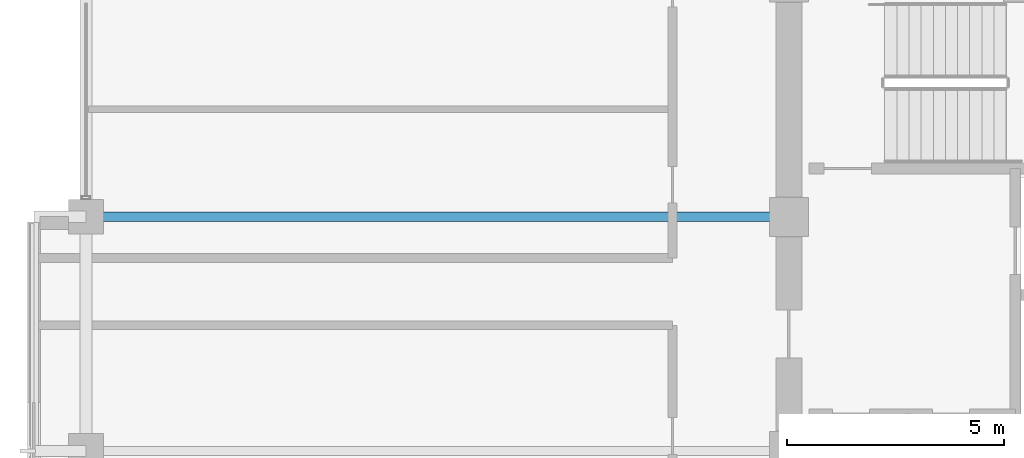
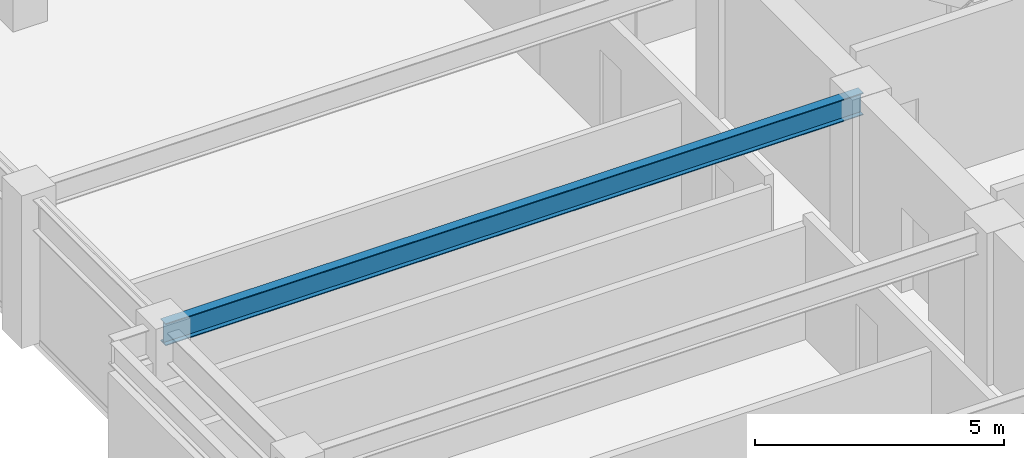
# One storey, part 9 of 30: 1 beam.
"""IFC4 building model written with IfcOpenShell, lengths in metres."""

import ifcopenshell
import ifcopenshell.guid

model = None  # the IFC model being written
_history = None  # IfcOwnerHistory: only IFC2X3 demands one
_inside = {}  # id of a spatial element -> (the spatial element, [elements in it])
_under = {}  # id of a project, library or spatial element -> (it, [spatial elements below it])
_declared = {}  # id of a project -> (the project, [libraries it declares])
_typed = {}  # id of a type object -> (the type object, [elements of that type])
_made_of = {}  # id of a material, layer set ... -> (it, [elements and type objects made of it])


def new_model(schema):
    """Start an empty IFC model of exactly this schema.

    Asked for "IFC4X3", IfcOpenShell would pick the latest addendum, in which some entities
    have other attributes; the version numbers below select the first issue.
    IFC2X3 requires an IfcOwnerHistory on every rooted entity: one is made here for all.
    """
    global model, _history
    if schema == "IFC4X3":
        model = ifcopenshell.file(schema_version=(4, 3, 0, 0))
    else:
        model = ifcopenshell.file(schema=schema)
    _inside.clear()
    _under.clear()
    _declared.clear()
    _typed.clear()
    _made_of.clear()
    _history = None
    if model.schema == "IFC2X3":
        org = make("IfcOrganization", Name="unknown")
        user = make(
            "IfcPersonAndOrganization",
            ThePerson=make("IfcPerson", FamilyName="unknown"),
            TheOrganization=org,
        )
        app = make(
            "IfcApplication",
            ApplicationDeveloper=org,
            Version="unknown",
            ApplicationFullName="unknown",
            ApplicationIdentifier="unknown",
        )
        _history = make(
            "IfcOwnerHistory",
            OwningUser=user,
            OwningApplication=app,
            ChangeAction="ADDED",
            CreationDate=0,
        )
    return model


def make(cls, **values):
    """One entity of the class cls with the attributes given. An attribute that is None is left unset."""
    return model.create_entity(
        cls, **{name: value for name, value in values.items() if value is not None}
    )


def rooted(cls, **values):
    """An entity with a GlobalId (a new one), such as an element, a storey or a relation."""
    return make(cls, GlobalId=ifcopenshell.guid.new(), OwnerHistory=_history, **values)


def si_unit(unit_type, name, prefix=None):
    """IfcSIUnit, for example si_unit("LENGTHUNIT", "METRE", prefix="MILLI")."""
    return make("IfcSIUnit", UnitType=unit_type, Prefix=prefix, Name=name)


def assignment(units):
    """IfcUnitAssignment: the units of a project."""
    return None if units is None else make("IfcUnitAssignment", Units=units)


def point(xyz):
    """IfcCartesianPoint."""
    return None if xyz is None else make("IfcCartesianPoint", Coordinates=xyz)


def direction(xyz):
    """IfcDirection."""
    return None if xyz is None else make("IfcDirection", DirectionRatios=xyz)


def frame(location, z_axis=None, x_axis=None):
    """IfcAxis2Placement3D, a coordinate frame: its origin and axes. An axis left out is left unset."""
    return make(
        "IfcAxis2Placement3D",
        Location=point(location),
        Axis=direction(z_axis),
        RefDirection=direction(x_axis),
    )


def frame_2d(location, x_axis=None):
    """IfcAxis2Placement2D, a coordinate frame in the plane: its origin and x axis."""
    return make(
        "IfcAxis2Placement2D", Location=point(location), RefDirection=direction(x_axis)
    )


def origin():
    """The frame at (0, 0, 0) with its axes left unset."""
    return frame((0.0, 0.0, 0.0))


def origin_2d():
    """The frame at (0, 0) in the plane with its x axis left unset."""
    return frame_2d((0.0, 0.0))


def place(relative_to, where):
    """IfcLocalPlacement: puts the frame where relative to a parent placement (None: the world)."""
    return make(
        "IfcLocalPlacement", PlacementRelTo=relative_to, RelativePlacement=where
    )


def context(
    kind, dimensions, precision=None, world=None, true_north=None, identifier=None
):
    """IfcGeometricRepresentationContext, for example the 3D "Model" context."""
    return make(
        "IfcGeometricRepresentationContext",
        ContextIdentifier=identifier,
        ContextType=kind,
        CoordinateSpaceDimension=dimensions,
        Precision=precision,
        WorldCoordinateSystem=world,
        TrueNorth=true_north,
    )


def subcontext(parent, identifier, kind, view, scale=None):
    """IfcGeometricRepresentationSubContext, for example "Body" below "Model"."""
    return make(
        "IfcGeometricRepresentationSubContext",
        ContextIdentifier=identifier,
        ContextType=kind,
        ParentContext=parent,
        TargetScale=scale,
        TargetView=view,
    )


def project(units=None, contexts=None):
    """IfcProject with its units and contexts."""
    return rooted(
        "IfcProject",
        Name="project",
        RepresentationContexts=contexts,
        UnitsInContext=assignment(units),
    )


def spatial(cls, under=None, at=None, **own):
    """A site, building, storey or space (cls), placed at a placement, below another one or the project."""
    s = rooted(cls, ObjectPlacement=at, **own)
    if under is not None:
        _under.setdefault(under.id(), (under, []))[1].append(s)
    return s


def profile(cls, at=None, kind="AREA", **sizes):
    """A parametric profile (cls). Its sizes go by their IFC names, for example OverallWidth=200.0."""
    return make(cls, ProfileType=kind, Position=at, **sizes)


def i_section(**sizes):
    """IfcIShapeProfileDef."""
    return profile("IfcIShapeProfileDef", **sizes)


def extrude(swept, where, along, depth):
    """IfcExtrudedAreaSolid: the profile swept, set in the frame where, extruded along a direction by depth."""
    return make(
        "IfcExtrudedAreaSolid",
        SweptArea=swept,
        Position=where,
        ExtrudedDirection=direction(along),
        Depth=depth,
    )


def shape(context_of_items, identifier, shape_type, items):
    """IfcShapeRepresentation: the items that make up one representation, for example the "Body"."""
    return make(
        "IfcShapeRepresentation",
        ContextOfItems=context_of_items,
        RepresentationIdentifier=identifier,
        RepresentationType=shape_type,
        Items=items,
    )


def material(Name=None, Category=None):
    """IfcMaterial."""
    return make("IfcMaterial", Name=Name, Category=Category)


def material_profile(
    of_material, cross_section, Name=None, Category=None, Priority=None
):
    """IfcMaterialProfile: a cross section and its material."""
    return make(
        "IfcMaterialProfile",
        Name=Name,
        Material=of_material,
        Profile=cross_section,
        Priority=Priority,
        Category=Category,
    )


def profile_set(profiles, Name=None, composite=None):
    """IfcMaterialProfileSet."""
    return make(
        "IfcMaterialProfileSet",
        Name=Name,
        MaterialProfiles=profiles,
        CompositeProfile=composite,
    )


def made_of(thing, what):
    """Note that an element or type object is made of a material, layer set ...; save() writes the relation."""
    if what is not None:
        _made_of.setdefault(what.id(), (what, []))[1].append(thing)
    return thing


def type_object(cls, material=None, **own):
    """A type object (cls), such as IfcWallType, which elements share."""
    return made_of(rooted(cls, **own), material)


def element(
    cls,
    number,
    at=None,
    inside=None,
    cuts=None,
    type_object=None,
    material=None,
    context=None,
    identifier="Body",
    shape_type=None,
    held_by="IfcProductDefinitionShape",
    body=None,
    shapes=None,
    **own,
):
    """One element of the class cls, such as IfcWall. Its Tag is "e" and its number.

    at: its placement. inside: the storey or other place that contains it. cuts: it is an
    opening in that element (IfcRelVoidsElement). A single representation is given by context,
    identifier, shape_type and body (its items); several are given by shapes. held_by: the class
    of the entity that holds the representations. save() writes the other relations.
    """
    e = rooted(cls, Tag="e%d" % number, ObjectPlacement=at, **own)
    if body is not None:
        shapes = [shape(context, identifier, shape_type, body)]
    if shapes is not None:
        e.Representation = make(held_by, Representations=shapes)
    if inside is not None:
        _inside.setdefault(inside.id(), (inside, []))[1].append(e)
    if cuts is not None:
        rooted(
            "IfcRelVoidsElement", RelatingBuildingElement=cuts, RelatedOpeningElement=e
        )
    if type_object is not None:
        _typed.setdefault(type_object.id(), (type_object, []))[1].append(e)
    return made_of(e, material)


def aggregate(whole, parts):
    """IfcRelAggregates: a whole, such as a stair, and the parts it consists of."""
    return rooted("IfcRelAggregates", RelatingObject=whole, RelatedObjects=parts)


def save(model, path):
    """Write the relations noted so far, then the file.

    IfcRelAggregates (storeys below a building ...), IfcRelContainedInSpatialStructure (elements
    in a storey), IfcRelDefinesByType, IfcRelAssociatesMaterial and IfcRelDeclares: one each for
    every whole, place, type object, material and project.
    """
    for whole, parts in _under.values():
        aggregate(whole, parts)
    for where, things in _inside.values():
        rooted(
            "IfcRelContainedInSpatialStructure",
            RelatedElements=things,
            RelatingStructure=where,
        )
    for kind, things in _typed.values():
        rooted("IfcRelDefinesByType", RelatedObjects=things, RelatingType=kind)
    for what, things in _made_of.values():
        rooted("IfcRelAssociatesMaterial", RelatedObjects=things, RelatingMaterial=what)
    for by, libraries in _declared.values():
        rooted("IfcRelDeclares", RelatingContext=by, RelatedDefinitions=libraries)
    model.write(path)


model = new_model("IFC4")

# Units and contexts
model_context = context("Model", 3, precision=1e-05, world=origin(), true_north=direction((0.0, 1.0)))
body_context = subcontext(model_context, "Body", "Model", "MODEL_VIEW")
ifc_project = project(units=[si_unit("LENGTHUNIT", "METRE"), si_unit("AREAUNIT", "SQUARE_METRE"), si_unit("VOLUMEUNIT", "CUBIC_METRE"), si_unit("PLANEANGLEUNIT", "RADIAN"), si_unit("MASSUNIT", "GRAM", prefix="KILO")], contexts=[model_context])

# Site, building, storey
site_placement = place(None, origin())
site = spatial("IfcSite", under=ifc_project, at=site_placement, CompositionType="ELEMENT")
building_placement = place(site_placement, origin())
building = spatial("IfcBuilding", under=site, at=building_placement, Name="Surkhivell Harbour Commons", CompositionType="ELEMENT")
storey_placement = place(building_placement, frame((0.0, 0.0, 231.0)))
storey = spatial("IfcBuildingStorey", under=building, at=storey_placement, Name="L60", CompositionType="ELEMENT", Elevation=231.0)

# Beam
ifc_material = material(Name="Steel S355", Category="steel")
ifc_material_profile = material_profile(ifc_material, i_section(OverallWidth=0.2119140625, OverallDepth=0.5439453125, WebThickness=0.0126953125, FlangeThickness=0.021240234375, at=origin_2d()), Name="UB533x210x122")
ifc_profile_set = profile_set([ifc_material_profile], Name="Steel S355")
beam_type = type_object("IfcBeamType", Name="BM-GRD-533A", PredefinedType="BEAM", material=ifc_profile_set)
beam_placement = place(storey_placement, frame((-27.0, 5.39990234375, 3.298095703125), z_axis=(1.0, 0.0, 0.0), x_axis=(0.0, 1.0, 0.0)))
element("IfcBeam", 1, at=beam_placement, inside=storey, type_object=beam_type, Name="L60 Floor Girder (-27.0,5.4)", PredefinedType="BEAM", context=body_context, shape_type="SweptSolid", body=[
    extrude(i_section(OverallWidth=0.2119140625, OverallDepth=0.5439453125, WebThickness=0.0126953125, FlangeThickness=0.021240234375, at=origin_2d()), origin(), (0.0, 0.0, 1.0), 16.199951171875),
])

save(model, "model.ifc")
